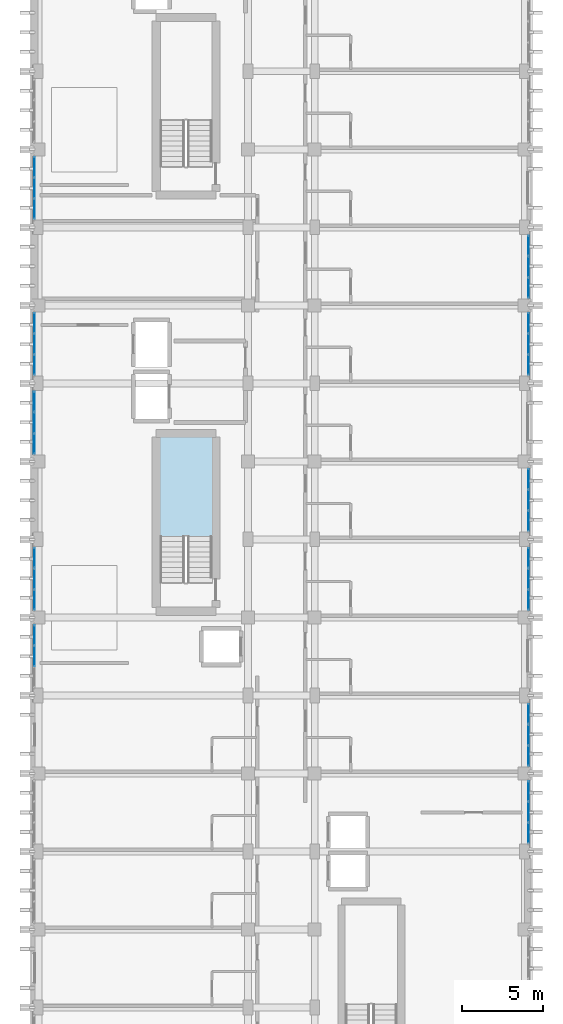
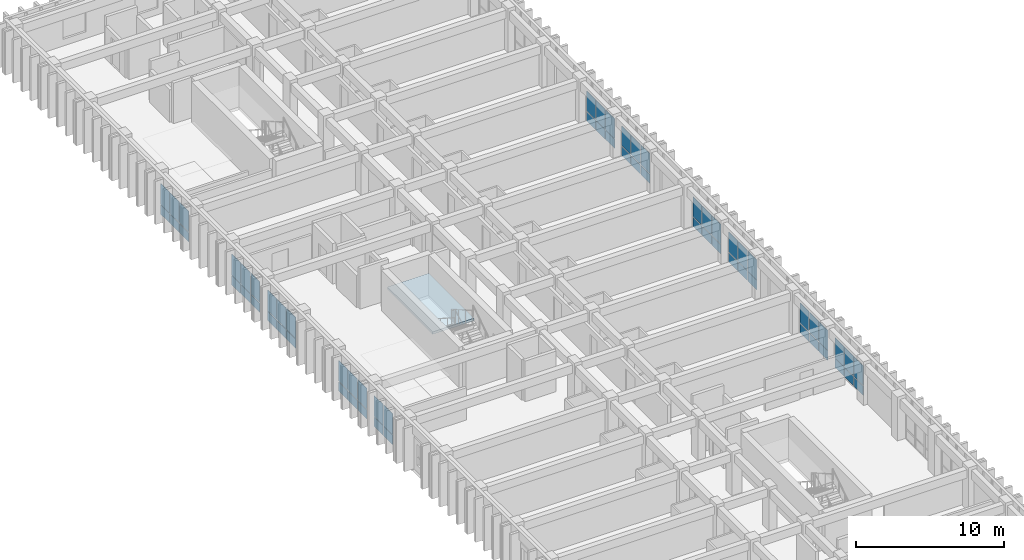
# One storey, part 61 of 82: 64 plates, 1 slab, 12 elements without a shape of their own.
"""IFC4 building model written with IfcOpenShell, lengths in metres."""

from ifc_helpers import new_model, si_unit, direction, frame, origin, origin_2d, place, context, subcontext, project, spatial, polyline, rectangle, outline, extrude, material, layer, layer_set, type_object, element, aggregate, save


model = new_model("IFC4")

# Units and contexts
model_context = context("Model", 3, precision=1e-05, world=origin(), true_north=direction((0.0, 1.0)))
body_context = subcontext(model_context, "Body", "Model", "MODEL_VIEW")
ifc_project = project(units=[si_unit("LENGTHUNIT", "METRE"), si_unit("AREAUNIT", "SQUARE_METRE"), si_unit("VOLUMEUNIT", "CUBIC_METRE"), si_unit("PLANEANGLEUNIT", "RADIAN"), si_unit("MASSUNIT", "GRAM", prefix="KILO")], contexts=[model_context])

# Site, building, storey
site_placement = place(None, origin())
site = spatial("IfcSite", under=ifc_project, at=site_placement, CompositionType="ELEMENT")
building_placement = place(site_placement, origin())
building = spatial("IfcBuilding", under=site, at=building_placement, Name="Nakhvara Creek Congress Hotel", CompositionType="ELEMENT")
storey_placement = place(building_placement, frame((0.0, 0.0, 21.0)))
storey = spatial("IfcBuildingStorey", under=building, at=storey_placement, Name="L04", CompositionType="ELEMENT", Elevation=21.0)

# Curtain wall, plates
ifc_material_1 = material(Name="Bronze-anodised aluminium AW-6063-T6 and double-silver low-E glass", Category="aluminium")
ifc_layer_1 = layer(ifc_material_1, 0.199951171875)
ifc_layer_set_1 = layer_set([ifc_layer_1], Name="Bronze-anodised aluminium AW-6063-T6 and double-silver low-E glass")
curtain_wall_type = type_object("IfcCurtainWallType", Name="CW-HTL-UNIT", PredefinedType="USERDEFINED", material=ifc_layer_set_1)
curtain_wall_1_placement = place(storey_placement, origin())
curtain_wall_1 = element("IfcCurtainWall", 1, at=curtain_wall_1_placement, inside=storey, type_object=curtain_wall_type, Name="Curtain Wall CW184", ObjectType="UNITISED", PredefinedType="USERDEFINED")
ifc_material_2 = material(Name="Double-silver solar-control low-E insulated glass", Category="glass")
plate_type_1 = type_object("IfcPlateType", Name="PNL-GLZ-120X250", PredefinedType="CURTAIN_PANEL", material=ifc_material_2)
plate_1_placement = place(storey_placement, frame((179.60009765625, 66.115478515625, 0.06494140625), z_axis=(0.0, 0.0, 1.0), x_axis=(0.0, -1.0, 0.0)))
plate_1 = element("IfcPlate", 2, at=plate_1_placement, type_object=plate_type_1, Name="CW184 panel 1.1", PredefinedType="CURTAIN_PANEL", context=body_context, shape_type="SweptSolid", body=[
    extrude(rectangle(XDim=1.209228515625, YDim=0.028076171875, at=origin_2d()), origin(), (0.0, 0.0, 1.0), 0.75244140625),
])
plate_2_placement = place(storey_placement, frame((179.60009765625, 66.115478515625, 0.88232421875), z_axis=(0.0, 0.0, 1.0), x_axis=(0.0, -1.0, 0.0)))
plate_2 = element("IfcPlate", 3, at=plate_2_placement, type_object=plate_type_1, Name="CW184 panel 1.2", PredefinedType="CURTAIN_PANEL", context=body_context, shape_type="SweptSolid", body=[
    extrude(rectangle(XDim=1.209228515625, YDim=0.028076171875, at=origin_2d()), origin(), (0.0, 0.0, 1.0), 1.634521484375),
])
plate_3_placement = place(storey_placement, frame((179.60009765625, 64.824951171875, 0.06494140625), z_axis=(0.0, 0.0, 1.0), x_axis=(0.0, -1.0, 0.0)))
plate_3 = element("IfcPlate", 4, at=plate_3_placement, type_object=plate_type_1, Name="CW184 panel 2.1", PredefinedType="CURTAIN_PANEL", context=body_context, shape_type="SweptSolid", body=[
    extrude(rectangle(XDim=1.24169921875, YDim=0.028076171875, at=origin_2d()), origin(), (0.0, 0.0, 1.0), 0.75244140625),
])
plate_4_placement = place(storey_placement, frame((179.60009765625, 64.824951171875, 0.88232421875), z_axis=(0.0, 0.0, 1.0), x_axis=(0.0, -1.0, 0.0)))
plate_4 = element("IfcPlate", 5, at=plate_4_placement, type_object=plate_type_1, Name="CW184 panel 2.2", PredefinedType="CURTAIN_PANEL", context=body_context, shape_type="SweptSolid", body=[
    extrude(rectangle(XDim=1.24169921875, YDim=0.028076171875, at=origin_2d()), origin(), (0.0, 0.0, 1.0), 1.634521484375),
])
plate_5_placement = place(storey_placement, frame((179.60009765625, 63.53466796875, 0.06494140625), z_axis=(0.0, 0.0, 1.0), x_axis=(0.0, -1.0, 0.0)))
plate_5 = element("IfcPlate", 6, at=plate_5_placement, type_object=plate_type_1, Name="CW184 panel 3.1", PredefinedType="CURTAIN_PANEL", context=body_context, shape_type="SweptSolid", body=[
    extrude(rectangle(XDim=1.209228515625, YDim=0.028076171875, at=origin_2d()), origin(), (0.0, 0.0, 1.0), 0.75244140625),
])
plate_6_placement = place(storey_placement, frame((179.60009765625, 63.53466796875, 0.88232421875), z_axis=(0.0, 0.0, 1.0), x_axis=(0.0, -1.0, 0.0)))
plate_6 = element("IfcPlate", 7, at=plate_6_placement, type_object=plate_type_1, Name="CW184 panel 3.2", PredefinedType="CURTAIN_PANEL", context=body_context, shape_type="SweptSolid", body=[
    extrude(rectangle(XDim=1.209228515625, YDim=0.028076171875, at=origin_2d()), origin(), (0.0, 0.0, 1.0), 1.634521484375),
])
aggregate(curtain_wall_1, [plate_1, plate_2, plate_3, plate_4, plate_5, plate_6])

curtain_wall_2_placement = place(storey_placement, origin())
curtain_wall_2 = element("IfcCurtainWall", 8, at=curtain_wall_2_placement, inside=storey, type_object=curtain_wall_type, Name="Curtain Wall CW186", ObjectType="UNITISED", PredefinedType="USERDEFINED")
plate_7_placement = place(storey_placement, frame((179.60009765625, 70.865478515625, 0.06494140625), z_axis=(0.0, 0.0, 1.0), x_axis=(0.0, -1.0, 0.0)))
plate_7 = element("IfcPlate", 9, at=plate_7_placement, type_object=plate_type_1, Name="CW186 panel 1.1", PredefinedType="CURTAIN_PANEL", context=body_context, shape_type="SweptSolid", body=[
    extrude(rectangle(XDim=1.209228515625, YDim=0.028076171875, at=origin_2d()), origin(), (0.0, 0.0, 1.0), 0.75244140625),
])
plate_8_placement = place(storey_placement, frame((179.60009765625, 70.865478515625, 0.88232421875), z_axis=(0.0, 0.0, 1.0), x_axis=(0.0, -1.0, 0.0)))
plate_8 = element("IfcPlate", 10, at=plate_8_placement, type_object=plate_type_1, Name="CW186 panel 1.2", PredefinedType="CURTAIN_PANEL", context=body_context, shape_type="SweptSolid", body=[
    extrude(rectangle(XDim=1.209228515625, YDim=0.028076171875, at=origin_2d()), origin(), (0.0, 0.0, 1.0), 1.634521484375),
])
plate_9_placement = place(storey_placement, frame((179.60009765625, 69.574951171875, 0.06494140625), z_axis=(0.0, 0.0, 1.0), x_axis=(0.0, -1.0, 0.0)))
plate_9 = element("IfcPlate", 11, at=plate_9_placement, type_object=plate_type_1, Name="CW186 panel 2.1", PredefinedType="CURTAIN_PANEL", context=body_context, shape_type="SweptSolid", body=[
    extrude(rectangle(XDim=1.24169921875, YDim=0.028076171875, at=origin_2d()), origin(), (0.0, 0.0, 1.0), 0.75244140625),
])
plate_10_placement = place(storey_placement, frame((179.60009765625, 69.574951171875, 0.88232421875), z_axis=(0.0, 0.0, 1.0), x_axis=(0.0, -1.0, 0.0)))
plate_10 = element("IfcPlate", 12, at=plate_10_placement, type_object=plate_type_1, Name="CW186 panel 2.2", PredefinedType="CURTAIN_PANEL", context=body_context, shape_type="SweptSolid", body=[
    extrude(rectangle(XDim=1.24169921875, YDim=0.028076171875, at=origin_2d()), origin(), (0.0, 0.0, 1.0), 1.634521484375),
])
plate_11_placement = place(storey_placement, frame((179.60009765625, 68.28466796875, 0.06494140625), z_axis=(0.0, 0.0, 1.0), x_axis=(0.0, -1.0, 0.0)))
plate_11 = element("IfcPlate", 13, at=plate_11_placement, type_object=plate_type_1, Name="CW186 panel 3.1", PredefinedType="CURTAIN_PANEL", context=body_context, shape_type="SweptSolid", body=[
    extrude(rectangle(XDim=1.209228515625, YDim=0.028076171875, at=origin_2d()), origin(), (0.0, 0.0, 1.0), 0.75244140625),
])
plate_12_placement = place(storey_placement, frame((179.60009765625, 68.28466796875, 0.88232421875), z_axis=(0.0, 0.0, 1.0), x_axis=(0.0, -1.0, 0.0)))
plate_12 = element("IfcPlate", 14, at=plate_12_placement, type_object=plate_type_1, Name="CW186 panel 3.2", PredefinedType="CURTAIN_PANEL", context=body_context, shape_type="SweptSolid", body=[
    extrude(rectangle(XDim=1.209228515625, YDim=0.028076171875, at=origin_2d()), origin(), (0.0, 0.0, 1.0), 1.634521484375),
])
aggregate(curtain_wall_2, [plate_7, plate_8, plate_9, plate_10, plate_11, plate_12])

curtain_wall_3_placement = place(storey_placement, origin())
curtain_wall_3 = element("IfcCurtainWall", 15, at=curtain_wall_3_placement, inside=storey, type_object=curtain_wall_type, Name="Curtain Wall CW187", ObjectType="UNITISED", PredefinedType="USERDEFINED")
plate_13_placement = place(storey_placement, frame((149.199951171875, 74.425048828125, 0.06494140625), z_axis=(0.0, 0.0, 1.0), x_axis=(0.0, 1.0, 0.0)))
plate_13 = element("IfcPlate", 16, at=plate_13_placement, type_object=plate_type_1, Name="CW187 panel 2.1", PredefinedType="CURTAIN_PANEL", context=body_context, shape_type="SweptSolid", body=[
    extrude(rectangle(XDim=1.24169921875, YDim=0.028076171875, at=origin_2d()), origin(), (0.0, 0.0, 1.0), 0.75244140625),
])
plate_14_placement = place(storey_placement, frame((149.199951171875, 74.425048828125, 0.882568359375), z_axis=(0.0, 0.0, 1.0), x_axis=(0.0, 1.0, 0.0)))
plate_14 = element("IfcPlate", 17, at=plate_14_placement, type_object=plate_type_1, Name="CW187 panel 2.2", PredefinedType="CURTAIN_PANEL", context=body_context, shape_type="SweptSolid", body=[
    extrude(rectangle(XDim=1.24169921875, YDim=0.028076171875, at=origin_2d()), origin(), (0.0, 0.0, 1.0), 1.70458984375),
])
plate_15_placement = place(storey_placement, frame((149.199951171875, 75.71533203125, 0.06494140625), z_axis=(0.0, 0.0, 1.0), x_axis=(0.0, 1.0, 0.0)))
plate_15 = element("IfcPlate", 18, at=plate_15_placement, type_object=plate_type_1, Name="CW187 panel 3.1", PredefinedType="CURTAIN_PANEL", context=body_context, shape_type="SweptSolid", body=[
    extrude(rectangle(XDim=1.209228515625, YDim=0.028076171875, at=origin_2d()), origin(), (0.0, 0.0, 1.0), 0.75244140625),
])
plate_16_placement = place(storey_placement, frame((149.199951171875, 75.71533203125, 0.882568359375), z_axis=(0.0, 0.0, 1.0), x_axis=(0.0, 1.0, 0.0)))
plate_16 = element("IfcPlate", 19, at=plate_16_placement, type_object=plate_type_1, Name="CW187 panel 3.2", PredefinedType="CURTAIN_PANEL", context=body_context, shape_type="SweptSolid", body=[
    extrude(rectangle(XDim=1.209228515625, YDim=0.028076171875, at=origin_2d()), origin(), (0.0, 0.0, 1.0), 1.70458984375),
])
aggregate(curtain_wall_3, [plate_13, plate_14, plate_15, plate_16])

curtain_wall_4_placement = place(storey_placement, origin())
curtain_wall_4 = element("IfcCurtainWall", 20, at=curtain_wall_4_placement, inside=storey, type_object=curtain_wall_type, Name="Curtain Wall CW188", ObjectType="UNITISED", PredefinedType="USERDEFINED")
plate_17_placement = place(storey_placement, frame((179.60009765625, 80.46533203125, 0.06494140625), z_axis=(0.0, 0.0, 1.0), x_axis=(0.0, -1.0, 0.0)))
plate_17 = element("IfcPlate", 21, at=plate_17_placement, type_object=plate_type_1, Name="CW188 panel 1.1", PredefinedType="CURTAIN_PANEL", context=body_context, shape_type="SweptSolid", body=[
    extrude(rectangle(XDim=1.209228515625, YDim=0.028076171875, at=origin_2d()), origin(), (0.0, 0.0, 1.0), 0.75244140625),
])
plate_18_placement = place(storey_placement, frame((179.60009765625, 80.46533203125, 0.88232421875), z_axis=(0.0, 0.0, 1.0), x_axis=(0.0, -1.0, 0.0)))
plate_18 = element("IfcPlate", 22, at=plate_18_placement, type_object=plate_type_1, Name="CW188 panel 1.2", PredefinedType="CURTAIN_PANEL", context=body_context, shape_type="SweptSolid", body=[
    extrude(rectangle(XDim=1.209228515625, YDim=0.028076171875, at=origin_2d()), origin(), (0.0, 0.0, 1.0), 1.634521484375),
])
plate_19_placement = place(storey_placement, frame((179.60009765625, 79.175048828125, 0.06494140625), z_axis=(0.0, 0.0, 1.0), x_axis=(0.0, -1.0, 0.0)))
plate_19 = element("IfcPlate", 23, at=plate_19_placement, type_object=plate_type_1, Name="CW188 panel 2.1", PredefinedType="CURTAIN_PANEL", context=body_context, shape_type="SweptSolid", body=[
    extrude(rectangle(XDim=1.24169921875, YDim=0.028076171875, at=origin_2d()), origin(), (0.0, 0.0, 1.0), 0.75244140625),
])
plate_20_placement = place(storey_placement, frame((179.60009765625, 79.175048828125, 0.88232421875), z_axis=(0.0, 0.0, 1.0), x_axis=(0.0, -1.0, 0.0)))
plate_20 = element("IfcPlate", 24, at=plate_20_placement, type_object=plate_type_1, Name="CW188 panel 2.2", PredefinedType="CURTAIN_PANEL", context=body_context, shape_type="SweptSolid", body=[
    extrude(rectangle(XDim=1.24169921875, YDim=0.028076171875, at=origin_2d()), origin(), (0.0, 0.0, 1.0), 1.634521484375),
])
plate_21_placement = place(storey_placement, frame((179.60009765625, 77.884521484375, 0.06494140625), z_axis=(0.0, 0.0, 1.0), x_axis=(0.0, -1.0, 0.0)))
plate_21 = element("IfcPlate", 25, at=plate_21_placement, type_object=plate_type_1, Name="CW188 panel 3.1", PredefinedType="CURTAIN_PANEL", context=body_context, shape_type="SweptSolid", body=[
    extrude(rectangle(XDim=1.209228515625, YDim=0.028076171875, at=origin_2d()), origin(), (0.0, 0.0, 1.0), 0.75244140625),
])
plate_22_placement = place(storey_placement, frame((179.60009765625, 77.884521484375, 0.88232421875), z_axis=(0.0, 0.0, 1.0), x_axis=(0.0, -1.0, 0.0)))
plate_22 = element("IfcPlate", 26, at=plate_22_placement, type_object=plate_type_1, Name="CW188 panel 3.2", PredefinedType="CURTAIN_PANEL", context=body_context, shape_type="SweptSolid", body=[
    extrude(rectangle(XDim=1.209228515625, YDim=0.028076171875, at=origin_2d()), origin(), (0.0, 0.0, 1.0), 1.634521484375),
])
aggregate(curtain_wall_4, [plate_17, plate_18, plate_19, plate_20, plate_21, plate_22])

curtain_wall_5_placement = place(storey_placement, origin())
curtain_wall_5 = element("IfcCurtainWall", 27, at=curtain_wall_5_placement, inside=storey, type_object=curtain_wall_type, Name="Curtain Wall CW189", ObjectType="UNITISED", PredefinedType="USERDEFINED")
plate_23_placement = place(storey_placement, frame((149.199951171875, 77.884521484375, 0.06494140625), z_axis=(0.0, 0.0, 1.0), x_axis=(0.0, 1.0, 0.0)))
plate_23 = element("IfcPlate", 28, at=plate_23_placement, type_object=plate_type_1, Name="CW189 panel 1.1", PredefinedType="CURTAIN_PANEL", context=body_context, shape_type="SweptSolid", body=[
    extrude(rectangle(XDim=1.209228515625, YDim=0.028076171875, at=origin_2d()), origin(), (0.0, 0.0, 1.0), 0.75244140625),
])
plate_24_placement = place(storey_placement, frame((149.199951171875, 77.884521484375, 0.882568359375), z_axis=(0.0, 0.0, 1.0), x_axis=(0.0, 1.0, 0.0)))
plate_24 = element("IfcPlate", 29, at=plate_24_placement, type_object=plate_type_1, Name="CW189 panel 1.2", PredefinedType="CURTAIN_PANEL", context=body_context, shape_type="SweptSolid", body=[
    extrude(rectangle(XDim=1.209228515625, YDim=0.028076171875, at=origin_2d()), origin(), (0.0, 0.0, 1.0), 1.70458984375),
])
plate_25_placement = place(storey_placement, frame((149.199951171875, 79.175048828125, 0.06494140625), z_axis=(0.0, 0.0, 1.0), x_axis=(0.0, 1.0, 0.0)))
plate_25 = element("IfcPlate", 30, at=plate_25_placement, type_object=plate_type_1, Name="CW189 panel 2.1", PredefinedType="CURTAIN_PANEL", context=body_context, shape_type="SweptSolid", body=[
    extrude(rectangle(XDim=1.24169921875, YDim=0.028076171875, at=origin_2d()), origin(), (0.0, 0.0, 1.0), 0.75244140625),
])
plate_26_placement = place(storey_placement, frame((149.199951171875, 79.175048828125, 0.882568359375), z_axis=(0.0, 0.0, 1.0), x_axis=(0.0, 1.0, 0.0)))
plate_26 = element("IfcPlate", 31, at=plate_26_placement, type_object=plate_type_1, Name="CW189 panel 2.2", PredefinedType="CURTAIN_PANEL", context=body_context, shape_type="SweptSolid", body=[
    extrude(rectangle(XDim=1.24169921875, YDim=0.028076171875, at=origin_2d()), origin(), (0.0, 0.0, 1.0), 1.70458984375),
])
plate_27_placement = place(storey_placement, frame((149.199951171875, 80.46533203125, 0.06494140625), z_axis=(0.0, 0.0, 1.0), x_axis=(0.0, 1.0, 0.0)))
plate_27 = element("IfcPlate", 32, at=plate_27_placement, type_object=plate_type_1, Name="CW189 panel 3.1", PredefinedType="CURTAIN_PANEL", context=body_context, shape_type="SweptSolid", body=[
    extrude(rectangle(XDim=1.209228515625, YDim=0.028076171875, at=origin_2d()), origin(), (0.0, 0.0, 1.0), 0.75244140625),
])
plate_28_placement = place(storey_placement, frame((149.199951171875, 80.46533203125, 0.882568359375), z_axis=(0.0, 0.0, 1.0), x_axis=(0.0, 1.0, 0.0)))
plate_28 = element("IfcPlate", 33, at=plate_28_placement, type_object=plate_type_1, Name="CW189 panel 3.2", PredefinedType="CURTAIN_PANEL", context=body_context, shape_type="SweptSolid", body=[
    extrude(rectangle(XDim=1.209228515625, YDim=0.028076171875, at=origin_2d()), origin(), (0.0, 0.0, 1.0), 1.70458984375),
])
aggregate(curtain_wall_5, [plate_23, plate_24, plate_25, plate_26, plate_27, plate_28])

curtain_wall_6_placement = place(storey_placement, origin())
curtain_wall_6 = element("IfcCurtainWall", 34, at=curtain_wall_6_placement, inside=storey, type_object=curtain_wall_type, Name="Curtain Wall CW190", ObjectType="UNITISED", PredefinedType="USERDEFINED")
plate_29_placement = place(storey_placement, frame((179.60009765625, 85.3154296875, 0.06494140625), z_axis=(0.0, 0.0, 1.0), x_axis=(0.0, -1.0, 0.0)))
plate_29 = element("IfcPlate", 35, at=plate_29_placement, type_object=plate_type_1, Name="CW190 panel 1.1", PredefinedType="CURTAIN_PANEL", context=body_context, shape_type="SweptSolid", body=[
    extrude(rectangle(XDim=1.209228515625, YDim=0.028076171875, at=origin_2d()), origin(), (0.0, 0.0, 1.0), 0.75244140625),
])
plate_30_placement = place(storey_placement, frame((179.60009765625, 85.3154296875, 0.88232421875), z_axis=(0.0, 0.0, 1.0), x_axis=(0.0, -1.0, 0.0)))
plate_30 = element("IfcPlate", 36, at=plate_30_placement, type_object=plate_type_1, Name="CW190 panel 1.2", PredefinedType="CURTAIN_PANEL", context=body_context, shape_type="SweptSolid", body=[
    extrude(rectangle(XDim=1.209228515625, YDim=0.028076171875, at=origin_2d()), origin(), (0.0, 0.0, 1.0), 1.634521484375),
])
plate_31_placement = place(storey_placement, frame((179.60009765625, 84.02490234375, 0.06494140625), z_axis=(0.0, 0.0, 1.0), x_axis=(0.0, -1.0, 0.0)))
plate_31 = element("IfcPlate", 37, at=plate_31_placement, type_object=plate_type_1, Name="CW190 panel 2.1", PredefinedType="CURTAIN_PANEL", context=body_context, shape_type="SweptSolid", body=[
    extrude(rectangle(XDim=1.24169921875, YDim=0.028076171875, at=origin_2d()), origin(), (0.0, 0.0, 1.0), 0.75244140625),
])
plate_32_placement = place(storey_placement, frame((179.60009765625, 84.02490234375, 0.88232421875), z_axis=(0.0, 0.0, 1.0), x_axis=(0.0, -1.0, 0.0)))
plate_32 = element("IfcPlate", 38, at=plate_32_placement, type_object=plate_type_1, Name="CW190 panel 2.2", PredefinedType="CURTAIN_PANEL", context=body_context, shape_type="SweptSolid", body=[
    extrude(rectangle(XDim=1.24169921875, YDim=0.028076171875, at=origin_2d()), origin(), (0.0, 0.0, 1.0), 1.634521484375),
])
plate_33_placement = place(storey_placement, frame((179.60009765625, 82.734619140625, 0.06494140625), z_axis=(0.0, 0.0, 1.0), x_axis=(0.0, -1.0, 0.0)))
plate_33 = element("IfcPlate", 39, at=plate_33_placement, type_object=plate_type_1, Name="CW190 panel 3.1", PredefinedType="CURTAIN_PANEL", context=body_context, shape_type="SweptSolid", body=[
    extrude(rectangle(XDim=1.209228515625, YDim=0.028076171875, at=origin_2d()), origin(), (0.0, 0.0, 1.0), 0.75244140625),
])
plate_34_placement = place(storey_placement, frame((179.60009765625, 82.734619140625, 0.88232421875), z_axis=(0.0, 0.0, 1.0), x_axis=(0.0, -1.0, 0.0)))
plate_34 = element("IfcPlate", 40, at=plate_34_placement, type_object=plate_type_1, Name="CW190 panel 3.2", PredefinedType="CURTAIN_PANEL", context=body_context, shape_type="SweptSolid", body=[
    extrude(rectangle(XDim=1.209228515625, YDim=0.028076171875, at=origin_2d()), origin(), (0.0, 0.0, 1.0), 1.634521484375),
])
aggregate(curtain_wall_6, [plate_29, plate_30, plate_31, plate_32, plate_33, plate_34])

curtain_wall_7_placement = place(storey_placement, origin())
curtain_wall_7 = element("IfcCurtainWall", 41, at=curtain_wall_7_placement, inside=storey, type_object=curtain_wall_type, Name="Curtain Wall CW192", ObjectType="UNITISED", PredefinedType="USERDEFINED")
plate_35_placement = place(storey_placement, frame((179.60009765625, 94.91552734375, 0.06494140625), z_axis=(0.0, 0.0, 1.0), x_axis=(0.0, -1.0, 0.0)))
plate_35 = element("IfcPlate", 42, at=plate_35_placement, type_object=plate_type_1, Name="CW192 panel 1.1", PredefinedType="CURTAIN_PANEL", context=body_context, shape_type="SweptSolid", body=[
    extrude(rectangle(XDim=1.209228515625, YDim=0.028076171875, at=origin_2d()), origin(), (0.0, 0.0, 1.0), 0.75244140625),
])
plate_36_placement = place(storey_placement, frame((179.60009765625, 94.91552734375, 0.88232421875), z_axis=(0.0, 0.0, 1.0), x_axis=(0.0, -1.0, 0.0)))
plate_36 = element("IfcPlate", 43, at=plate_36_placement, type_object=plate_type_1, Name="CW192 panel 1.2", PredefinedType="CURTAIN_PANEL", context=body_context, shape_type="SweptSolid", body=[
    extrude(rectangle(XDim=1.209228515625, YDim=0.028076171875, at=origin_2d()), origin(), (0.0, 0.0, 1.0), 1.634521484375),
])
plate_37_placement = place(storey_placement, frame((179.60009765625, 93.625, 0.06494140625), z_axis=(0.0, 0.0, 1.0), x_axis=(0.0, -1.0, 0.0)))
plate_37 = element("IfcPlate", 44, at=plate_37_placement, type_object=plate_type_1, Name="CW192 panel 2.1", PredefinedType="CURTAIN_PANEL", context=body_context, shape_type="SweptSolid", body=[
    extrude(rectangle(XDim=1.24169921875, YDim=0.028076171875, at=origin_2d()), origin(), (0.0, 0.0, 1.0), 0.75244140625),
])
plate_38_placement = place(storey_placement, frame((179.60009765625, 93.625, 0.88232421875), z_axis=(0.0, 0.0, 1.0), x_axis=(0.0, -1.0, 0.0)))
plate_38 = element("IfcPlate", 45, at=plate_38_placement, type_object=plate_type_1, Name="CW192 panel 2.2", PredefinedType="CURTAIN_PANEL", context=body_context, shape_type="SweptSolid", body=[
    extrude(rectangle(XDim=1.24169921875, YDim=0.028076171875, at=origin_2d()), origin(), (0.0, 0.0, 1.0), 1.634521484375),
])
plate_39_placement = place(storey_placement, frame((179.60009765625, 92.33447265625, 0.06494140625), z_axis=(0.0, 0.0, 1.0), x_axis=(0.0, -1.0, 0.0)))
plate_39 = element("IfcPlate", 46, at=plate_39_placement, type_object=plate_type_1, Name="CW192 panel 3.1", PredefinedType="CURTAIN_PANEL", context=body_context, shape_type="SweptSolid", body=[
    extrude(rectangle(XDim=1.209228515625, YDim=0.028076171875, at=origin_2d()), origin(), (0.0, 0.0, 1.0), 0.75244140625),
])
plate_40_placement = place(storey_placement, frame((179.60009765625, 92.33447265625, 0.88232421875), z_axis=(0.0, 0.0, 1.0), x_axis=(0.0, -1.0, 0.0)))
plate_40 = element("IfcPlate", 47, at=plate_40_placement, type_object=plate_type_1, Name="CW192 panel 3.2", PredefinedType="CURTAIN_PANEL", context=body_context, shape_type="SweptSolid", body=[
    extrude(rectangle(XDim=1.209228515625, YDim=0.028076171875, at=origin_2d()), origin(), (0.0, 0.0, 1.0), 1.634521484375),
])
aggregate(curtain_wall_7, [plate_35, plate_36, plate_37, plate_38, plate_39, plate_40])

curtain_wall_8_placement = place(storey_placement, origin())
curtain_wall_8 = element("IfcCurtainWall", 48, at=curtain_wall_8_placement, inside=storey, type_object=curtain_wall_type, Name="Curtain Wall CW193", ObjectType="UNITISED", PredefinedType="USERDEFINED")
plate_41_placement = place(storey_placement, frame((149.199951171875, 92.33447265625, 0.06494140625), z_axis=(0.0, 0.0, 1.0), x_axis=(0.0, 1.0, 0.0)))
plate_41 = element("IfcPlate", 49, at=plate_41_placement, type_object=plate_type_1, Name="CW193 panel 1.1", PredefinedType="CURTAIN_PANEL", context=body_context, shape_type="SweptSolid", body=[
    extrude(rectangle(XDim=1.209228515625, YDim=0.028076171875, at=origin_2d()), origin(), (0.0, 0.0, 1.0), 0.75244140625),
])
plate_42_placement = place(storey_placement, frame((149.199951171875, 92.33447265625, 0.882568359375), z_axis=(0.0, 0.0, 1.0), x_axis=(0.0, 1.0, 0.0)))
plate_42 = element("IfcPlate", 50, at=plate_42_placement, type_object=plate_type_1, Name="CW193 panel 1.2", PredefinedType="CURTAIN_PANEL", context=body_context, shape_type="SweptSolid", body=[
    extrude(rectangle(XDim=1.209228515625, YDim=0.028076171875, at=origin_2d()), origin(), (0.0, 0.0, 1.0), 1.70458984375),
])
plate_43_placement = place(storey_placement, frame((149.199951171875, 93.625, 0.06494140625), z_axis=(0.0, 0.0, 1.0), x_axis=(0.0, 1.0, 0.0)))
plate_43 = element("IfcPlate", 51, at=plate_43_placement, type_object=plate_type_1, Name="CW193 panel 2.1", PredefinedType="CURTAIN_PANEL", context=body_context, shape_type="SweptSolid", body=[
    extrude(rectangle(XDim=1.24169921875, YDim=0.028076171875, at=origin_2d()), origin(), (0.0, 0.0, 1.0), 0.75244140625),
])
plate_44_placement = place(storey_placement, frame((149.199951171875, 93.625, 0.882568359375), z_axis=(0.0, 0.0, 1.0), x_axis=(0.0, 1.0, 0.0)))
plate_44 = element("IfcPlate", 52, at=plate_44_placement, type_object=plate_type_1, Name="CW193 panel 2.2", PredefinedType="CURTAIN_PANEL", context=body_context, shape_type="SweptSolid", body=[
    extrude(rectangle(XDim=1.24169921875, YDim=0.028076171875, at=origin_2d()), origin(), (0.0, 0.0, 1.0), 1.70458984375),
])
plate_45_placement = place(storey_placement, frame((149.199951171875, 94.91552734375, 0.06494140625), z_axis=(0.0, 0.0, 1.0), x_axis=(0.0, 1.0, 0.0)))
plate_45 = element("IfcPlate", 53, at=plate_45_placement, type_object=plate_type_1, Name="CW193 panel 3.1", PredefinedType="CURTAIN_PANEL", context=body_context, shape_type="SweptSolid", body=[
    extrude(rectangle(XDim=1.209228515625, YDim=0.028076171875, at=origin_2d()), origin(), (0.0, 0.0, 1.0), 0.75244140625),
])
plate_46_placement = place(storey_placement, frame((149.199951171875, 94.91552734375, 0.882568359375), z_axis=(0.0, 0.0, 1.0), x_axis=(0.0, 1.0, 0.0)))
plate_46 = element("IfcPlate", 54, at=plate_46_placement, type_object=plate_type_1, Name="CW193 panel 3.2", PredefinedType="CURTAIN_PANEL", context=body_context, shape_type="SweptSolid", body=[
    extrude(rectangle(XDim=1.209228515625, YDim=0.028076171875, at=origin_2d()), origin(), (0.0, 0.0, 1.0), 1.70458984375),
])
aggregate(curtain_wall_8, [plate_41, plate_42, plate_43, plate_44, plate_45, plate_46])

curtain_wall_9_placement = place(storey_placement, origin())
curtain_wall_9 = element("IfcCurtainWall", 55, at=curtain_wall_9_placement, inside=storey, type_object=curtain_wall_type, Name="Curtain Wall CW194", ObjectType="UNITISED", PredefinedType="USERDEFINED")
plate_47_placement = place(storey_placement, frame((179.60009765625, 99.66552734375, 0.06494140625), z_axis=(0.0, 0.0, 1.0), x_axis=(0.0, -1.0, 0.0)))
plate_47 = element("IfcPlate", 56, at=plate_47_placement, type_object=plate_type_1, Name="CW194 panel 1.1", PredefinedType="CURTAIN_PANEL", context=body_context, shape_type="SweptSolid", body=[
    extrude(rectangle(XDim=1.209228515625, YDim=0.028076171875, at=origin_2d()), origin(), (0.0, 0.0, 1.0), 0.75244140625),
])
plate_48_placement = place(storey_placement, frame((179.60009765625, 99.66552734375, 0.88232421875), z_axis=(0.0, 0.0, 1.0), x_axis=(0.0, -1.0, 0.0)))
plate_48 = element("IfcPlate", 57, at=plate_48_placement, type_object=plate_type_1, Name="CW194 panel 1.2", PredefinedType="CURTAIN_PANEL", context=body_context, shape_type="SweptSolid", body=[
    extrude(rectangle(XDim=1.209228515625, YDim=0.028076171875, at=origin_2d()), origin(), (0.0, 0.0, 1.0), 1.634521484375),
])
plate_49_placement = place(storey_placement, frame((179.60009765625, 98.375, 0.06494140625), z_axis=(0.0, 0.0, 1.0), x_axis=(0.0, -1.0, 0.0)))
plate_49 = element("IfcPlate", 58, at=plate_49_placement, type_object=plate_type_1, Name="CW194 panel 2.1", PredefinedType="CURTAIN_PANEL", context=body_context, shape_type="SweptSolid", body=[
    extrude(rectangle(XDim=1.24169921875, YDim=0.028076171875, at=origin_2d()), origin(), (0.0, 0.0, 1.0), 0.75244140625),
])
plate_50_placement = place(storey_placement, frame((179.60009765625, 98.375, 0.88232421875), z_axis=(0.0, 0.0, 1.0), x_axis=(0.0, -1.0, 0.0)))
plate_50 = element("IfcPlate", 59, at=plate_50_placement, type_object=plate_type_1, Name="CW194 panel 2.2", PredefinedType="CURTAIN_PANEL", context=body_context, shape_type="SweptSolid", body=[
    extrude(rectangle(XDim=1.24169921875, YDim=0.028076171875, at=origin_2d()), origin(), (0.0, 0.0, 1.0), 1.634521484375),
])
plate_51_placement = place(storey_placement, frame((179.60009765625, 97.08447265625, 0.06494140625), z_axis=(0.0, 0.0, 1.0), x_axis=(0.0, -1.0, 0.0)))
plate_51 = element("IfcPlate", 60, at=plate_51_placement, type_object=plate_type_1, Name="CW194 panel 3.1", PredefinedType="CURTAIN_PANEL", context=body_context, shape_type="SweptSolid", body=[
    extrude(rectangle(XDim=1.209228515625, YDim=0.028076171875, at=origin_2d()), origin(), (0.0, 0.0, 1.0), 0.75244140625),
])
plate_52_placement = place(storey_placement, frame((179.60009765625, 97.08447265625, 0.88232421875), z_axis=(0.0, 0.0, 1.0), x_axis=(0.0, -1.0, 0.0)))
plate_52 = element("IfcPlate", 61, at=plate_52_placement, type_object=plate_type_1, Name="CW194 panel 3.2", PredefinedType="CURTAIN_PANEL", context=body_context, shape_type="SweptSolid", body=[
    extrude(rectangle(XDim=1.209228515625, YDim=0.028076171875, at=origin_2d()), origin(), (0.0, 0.0, 1.0), 1.634521484375),
])
aggregate(curtain_wall_9, [plate_47, plate_48, plate_49, plate_50, plate_51, plate_52])

curtain_wall_10_placement = place(storey_placement, origin())
curtain_wall_10 = element("IfcCurtainWall", 62, at=curtain_wall_10_placement, inside=storey, type_object=curtain_wall_type, Name="Curtain Wall CW195", ObjectType="UNITISED", PredefinedType="USERDEFINED")
plate_53_placement = place(storey_placement, frame((149.199951171875, 101.9345703125, 0.06494140625), z_axis=(0.0, 0.0, 1.0), x_axis=(0.0, 1.0, 0.0)))
plate_53 = element("IfcPlate", 63, at=plate_53_placement, type_object=plate_type_1, Name="CW195 panel 1.1", PredefinedType="CURTAIN_PANEL", context=body_context, shape_type="SweptSolid", body=[
    extrude(rectangle(XDim=1.209228515625, YDim=0.028076171875, at=origin_2d()), origin(), (0.0, 0.0, 1.0), 0.75244140625),
])
plate_54_placement = place(storey_placement, frame((149.199951171875, 101.9345703125, 0.882568359375), z_axis=(0.0, 0.0, 1.0), x_axis=(0.0, 1.0, 0.0)))
plate_54 = element("IfcPlate", 64, at=plate_54_placement, type_object=plate_type_1, Name="CW195 panel 1.2", PredefinedType="CURTAIN_PANEL", context=body_context, shape_type="SweptSolid", body=[
    extrude(rectangle(XDim=1.209228515625, YDim=0.028076171875, at=origin_2d()), origin(), (0.0, 0.0, 1.0), 1.70458984375),
])
plate_55_placement = place(storey_placement, frame((149.199951171875, 103.22509765625, 0.06494140625), z_axis=(0.0, 0.0, 1.0), x_axis=(0.0, 1.0, 0.0)))
plate_55 = element("IfcPlate", 65, at=plate_55_placement, type_object=plate_type_1, Name="CW195 panel 2.1", PredefinedType="CURTAIN_PANEL", context=body_context, shape_type="SweptSolid", body=[
    extrude(rectangle(XDim=1.24169921875, YDim=0.028076171875, at=origin_2d()), origin(), (0.0, 0.0, 1.0), 0.75244140625),
])
plate_56_placement = place(storey_placement, frame((149.199951171875, 103.22509765625, 0.882568359375), z_axis=(0.0, 0.0, 1.0), x_axis=(0.0, 1.0, 0.0)))
plate_56 = element("IfcPlate", 66, at=plate_56_placement, type_object=plate_type_1, Name="CW195 panel 2.2", PredefinedType="CURTAIN_PANEL", context=body_context, shape_type="SweptSolid", body=[
    extrude(rectangle(XDim=1.24169921875, YDim=0.028076171875, at=origin_2d()), origin(), (0.0, 0.0, 1.0), 1.70458984375),
])
plate_57_placement = place(storey_placement, frame((149.199951171875, 104.515380859375, 0.06494140625), z_axis=(0.0, 0.0, 1.0), x_axis=(0.0, 1.0, 0.0)))
plate_57 = element("IfcPlate", 67, at=plate_57_placement, type_object=plate_type_1, Name="CW195 panel 3.1", PredefinedType="CURTAIN_PANEL", context=body_context, shape_type="SweptSolid", body=[
    extrude(rectangle(XDim=1.209228515625, YDim=0.028076171875, at=origin_2d()), origin(), (0.0, 0.0, 1.0), 0.75244140625),
])
plate_58_placement = place(storey_placement, frame((149.199951171875, 104.515380859375, 0.882568359375), z_axis=(0.0, 0.0, 1.0), x_axis=(0.0, 1.0, 0.0)))
plate_58 = element("IfcPlate", 68, at=plate_58_placement, type_object=plate_type_1, Name="CW195 panel 3.2", PredefinedType="CURTAIN_PANEL", context=body_context, shape_type="SweptSolid", body=[
    extrude(rectangle(XDim=1.209228515625, YDim=0.028076171875, at=origin_2d()), origin(), (0.0, 0.0, 1.0), 1.70458984375),
])
aggregate(curtain_wall_10, [plate_53, plate_54, plate_55, plate_56, plate_57, plate_58])

curtain_wall_11_placement = place(storey_placement, origin())
curtain_wall_11 = element("IfcCurtainWall", 69, at=curtain_wall_11_placement, inside=storey, type_object=curtain_wall_type, Name="Curtain Wall CW191", ObjectType="UNITISED", PredefinedType="USERDEFINED")
ifc_material_3 = material(Name="Back-insulated bronze spandrel glass panel", Category="glass")
plate_type_2 = type_object("IfcPlateType", Name="PNL-SPN-120X080", PredefinedType="CURTAIN_PANEL", material=ifc_material_3)
plate_59_placement = place(storey_placement, frame((149.199951171875, 87.484619140625, 0.06494140625), z_axis=(0.0, 0.0, 1.0), x_axis=(0.0, 1.0, 0.0)))
plate_59 = element("IfcPlate", 70, at=plate_59_placement, type_object=plate_type_2, Name="CW191 panel 1.1", PredefinedType="CURTAIN_PANEL", context=body_context, shape_type="SweptSolid", body=[
    extrude(rectangle(XDim=1.209228515625, YDim=0.0419921875, at=origin_2d()), origin(), (0.0, 0.0, 1.0), 0.75244140625),
])
plate_60_placement = place(storey_placement, frame((149.199951171875, 87.484619140625, 0.882568359375), z_axis=(0.0, 0.0, 1.0), x_axis=(0.0, 1.0, 0.0)))
plate_60 = element("IfcPlate", 71, at=plate_60_placement, type_object=plate_type_2, Name="CW191 panel 1.2", PredefinedType="CURTAIN_PANEL", context=body_context, shape_type="SweptSolid", body=[
    extrude(rectangle(XDim=1.209228515625, YDim=0.0419921875, at=origin_2d()), origin(), (0.0, 0.0, 1.0), 1.70458984375),
])
plate_61_placement = place(storey_placement, frame((149.199951171875, 88.77490234375, 0.06494140625), z_axis=(0.0, 0.0, 1.0), x_axis=(0.0, 1.0, 0.0)))
plate_61 = element("IfcPlate", 72, at=plate_61_placement, type_object=plate_type_2, Name="CW191 panel 2.1", PredefinedType="CURTAIN_PANEL", context=body_context, shape_type="SweptSolid", body=[
    extrude(rectangle(XDim=1.24169921875, YDim=0.0419921875, at=origin_2d()), origin(), (0.0, 0.0, 1.0), 0.75244140625),
])
plate_62_placement = place(storey_placement, frame((149.199951171875, 88.77490234375, 0.882568359375), z_axis=(0.0, 0.0, 1.0), x_axis=(0.0, 1.0, 0.0)))
plate_62 = element("IfcPlate", 73, at=plate_62_placement, type_object=plate_type_2, Name="CW191 panel 2.2", PredefinedType="CURTAIN_PANEL", context=body_context, shape_type="SweptSolid", body=[
    extrude(rectangle(XDim=1.24169921875, YDim=0.0419921875, at=origin_2d()), origin(), (0.0, 0.0, 1.0), 1.70458984375),
])
plate_63_placement = place(storey_placement, frame((149.199951171875, 90.0654296875, 0.06494140625), z_axis=(0.0, 0.0, 1.0), x_axis=(0.0, 1.0, 0.0)))
plate_63 = element("IfcPlate", 74, at=plate_63_placement, type_object=plate_type_2, Name="CW191 panel 3.1", PredefinedType="CURTAIN_PANEL", context=body_context, shape_type="SweptSolid", body=[
    extrude(rectangle(XDim=1.209228515625, YDim=0.0419921875, at=origin_2d()), origin(), (0.0, 0.0, 1.0), 0.75244140625),
])
plate_64_placement = place(storey_placement, frame((149.199951171875, 90.0654296875, 0.882568359375), z_axis=(0.0, 0.0, 1.0), x_axis=(0.0, 1.0, 0.0)))
plate_64 = element("IfcPlate", 75, at=plate_64_placement, type_object=plate_type_2, Name="CW191 panel 3.2", PredefinedType="CURTAIN_PANEL", context=body_context, shape_type="SweptSolid", body=[
    extrude(rectangle(XDim=1.209228515625, YDim=0.0419921875, at=origin_2d()), origin(), (0.0, 0.0, 1.0), 1.70458984375),
])
aggregate(curtain_wall_11, [plate_59, plate_60, plate_61, plate_62, plate_63, plate_64])

# Stair, slab
ifc_material_4 = material(Name="Concrete C40/50", Category="concrete")
stair_type = type_object("IfcStairType", Name="ST-CORE-160", PredefinedType="HALF_TURN_STAIR", material=ifc_material_4)
stair_placement = place(storey_placement, origin())
stair = element("IfcStair", 76, at=stair_placement, inside=storey, type_object=stair_type, Name="L04 Protected Exit Stair ST01", PredefinedType="HALF_TURN_STAIR")
ifc_layer_2 = layer(ifc_material_4, 0.199951171875)
ifc_layer_set_2 = layer_set([ifc_layer_2], Name="Concrete C40/50")
slab_type = type_object("IfcSlabType", Name="SL-LAND-200", PredefinedType="LANDING", material=ifc_layer_set_2)
slab_placement = place(storey_placement, frame((0.0, 0.0, 1.60009765625)))
slab = element("IfcSlab", 77, at=slab_placement, type_object=slab_type, Name="ST01 landing 1", PredefinedType="LANDING", context=body_context, shape_type="SweptSolid", body=[
    extrude(outline(polyline([(160.14990234375, 81.77490234375), (160.14990234375, 87.89990234375), (156.919921875, 87.89990234375), (156.919921875, 81.77490234375), (160.14990234375, 81.77490234375)])), origin(), (0.0, 0.0, 1.0), 0.199951171875),
])
aggregate(stair, [slab])

save(model, "model.ifc")
